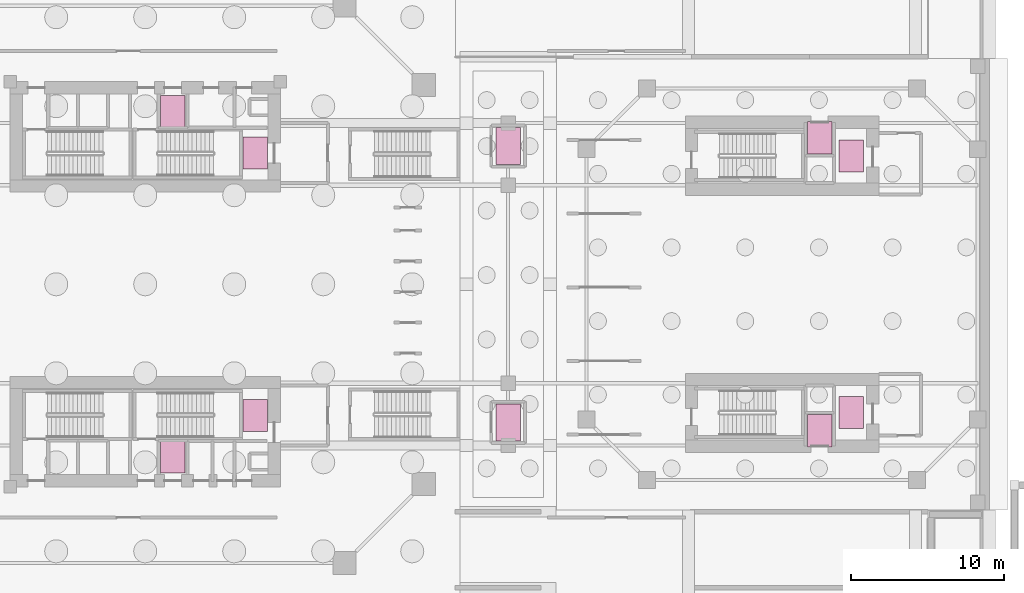
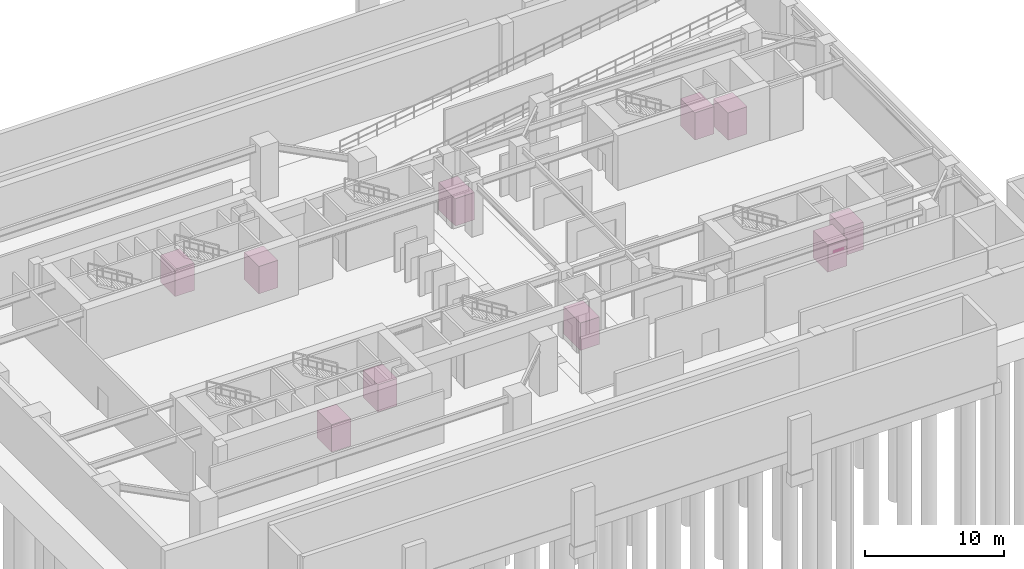
# One storey, part 13 of 13: 10 transport elements.
"""IFC4 building model written with IfcOpenShell, lengths in metres."""

from ifc_helpers import new_model, si_unit, direction, frame, origin, origin_2d, place, context, subcontext, project, spatial, rectangle, extrude, source, transform, mapped, material, type_object, element, save


model = new_model("IFC4")

# Units and contexts
model_context = context("Model", 3, precision=1e-05, world=origin(), true_north=direction((0.0, 1.0)))
body_context = subcontext(model_context, "Body", "Model", "MODEL_VIEW")
ifc_project = project(units=[si_unit("LENGTHUNIT", "METRE"), si_unit("AREAUNIT", "SQUARE_METRE"), si_unit("VOLUMEUNIT", "CUBIC_METRE"), si_unit("PLANEANGLEUNIT", "RADIAN"), si_unit("MASSUNIT", "GRAM", prefix="KILO"), si_unit("THERMODYNAMICTEMPERATUREUNIT", "KELVIN"), si_unit("POWERUNIT", "WATT")], contexts=[model_context])

# Site, building, storey
site_placement = place(None, origin())
site = spatial("IfcSite", under=ifc_project, at=site_placement, CompositionType="ELEMENT")
building_placement = place(site_placement, origin())
building = spatial("IfcBuilding", under=site, at=building_placement, Name="Qiaomeng Ring Towers", CompositionType="ELEMENT")
storey_placement = place(building_placement, frame((0.0, 0.0, -9.60009765625)))
storey = spatial("IfcBuildingStorey", under=building, at=storey_placement, Name="B2", CompositionType="ELEMENT", Elevation=-9.60009765625)

# Transport elements
ifc_material = material(Name="Stainless steel 316", Category="steel")
transport_element_type_1 = type_object("IfcTransportElementType", Name="ARC-LFT-FF", PredefinedType="ELEVATOR", material=ifc_material)
shared_shape_1 = source(origin(), body_context, "Body", "SweptSolid", [
    extrude(rectangle(XDim=1.60009765625, YDim=2.10009765625, at=origin_2d()), origin(), (0.0, 0.0, 1.0), 2.39990234375),
])
for number, where, z_axis, x_axis, name in (
    (1, (26.179931640625, 31.550048828125, 0.000244140625), (0.0, 0.0, 1.0), (1.0, 0.0, 0.0), "Tower 1 North Firefighting Lift FL1"),
    (2, (26.179931640625, 14.449951171875, 0.000244140625), (0.0, 0.0, 1.0), (1.0, 0.0, 0.0), "Tower 1 South Firefighting Lift FL2"),
    (3, (65.0, 31.35009765625, 0.000244140625), (0.0, 0.0, 1.0), (1.0, 0.0, 0.0), "Companion North Firefighting Lift FL3"),
    (4, (65.0, 14.64990234375, 0.000244140625), (0.0, 0.0, 1.0), (1.0, 0.0, 0.0), "Companion South Firefighting Lift FL4"),
):
    element("IfcTransportElement", number, at=place(storey_placement, frame(where, z_axis=z_axis, x_axis=x_axis)), inside=storey, type_object=transport_element_type_1, Name=name, PredefinedType="ELEVATOR", context=body_context, shape_type="MappedRepresentation", body=[
        mapped(shared_shape_1, transform((0.0, 0.0, 0.0), x_axis=(1.0, 0.0, 0.0), y_axis=(0.0, 1.0, 0.0), z_axis=(0.0, 0.0, 1.0), scale=1.0)),
    ])
transport_element_type_2 = type_object("IfcTransportElementType", Name="ARC-LFT-P1350", PredefinedType="ELEVATOR", material=ifc_material)
for number, where, z_axis, x_axis, name in (
    (5, (20.800048828125, 34.25, 0.000244140625), (0.0, 0.0, 1.0), (1.0, 0.0, 0.0), "Tower 1 Low-Zone Passenger Lift LP1"),
    (6, (20.800048828125, 11.75, 0.000244140625), (0.0, 0.0, 1.0), (1.0, 0.0, 0.0), "Tower 1 Low-Zone Passenger Lift LP2"),
    (7, (62.949951171875, 32.550048828125, 0.000244140625), (0.0, 0.0, 1.0), (1.0, 0.0, 0.0), "Companion Passenger Lift LP7"),
    (8, (62.949951171875, 13.449951171875, 0.000244140625), (0.0, 0.0, 1.0), (1.0, 0.0, 0.0), "Companion Passenger Lift LP8"),
):
    element("IfcTransportElement", number, at=place(storey_placement, frame(where, z_axis=z_axis, x_axis=x_axis)), inside=storey, type_object=transport_element_type_2, Name=name, PredefinedType="ELEVATOR", context=body_context, shape_type="MappedRepresentation", body=[
        mapped(shared_shape_1, transform((0.0, 0.0, 0.0), x_axis=(1.0, 0.0, 0.0), y_axis=(0.0, 1.0, 0.0), z_axis=(0.0, 0.0, 1.0), scale=1.0)),
    ])
transport_element_type_3 = type_object("IfcTransportElementType", Name="ARC-LFT-MED", PredefinedType="ELEVATOR", material=ifc_material)
shared_shape_2 = source(origin(), body_context, "Body", "SweptSolid", [
    extrude(rectangle(XDim=1.60009765625, YDim=2.39990234375, at=origin_2d()), origin(), (0.0, 0.0, 1.0), 2.39990234375),
])
for number, where, z_axis, x_axis, name in (
    (9, (42.64990234375, 32.0, 0.000244140625), (0.0, 0.0, 1.0), (1.0, 0.0, 0.0), "Podium Clinic Medical Lift LP9"),
    (10, (42.64990234375, 14.0, 0.000244140625), (0.0, 0.0, 1.0), (1.0, 0.0, 0.0), "Podium Clinic Medical Lift LP10"),
):
    element("IfcTransportElement", number, at=place(storey_placement, frame(where, z_axis=z_axis, x_axis=x_axis)), inside=storey, type_object=transport_element_type_3, Name=name, PredefinedType="ELEVATOR", context=body_context, shape_type="MappedRepresentation", body=[
        mapped(shared_shape_2, transform((0.0, 0.0, 0.0), x_axis=(1.0, 0.0, 0.0), y_axis=(0.0, 1.0, 0.0), z_axis=(0.0, 0.0, 1.0), scale=1.0)),
    ])

save(model, "model.ifc")
